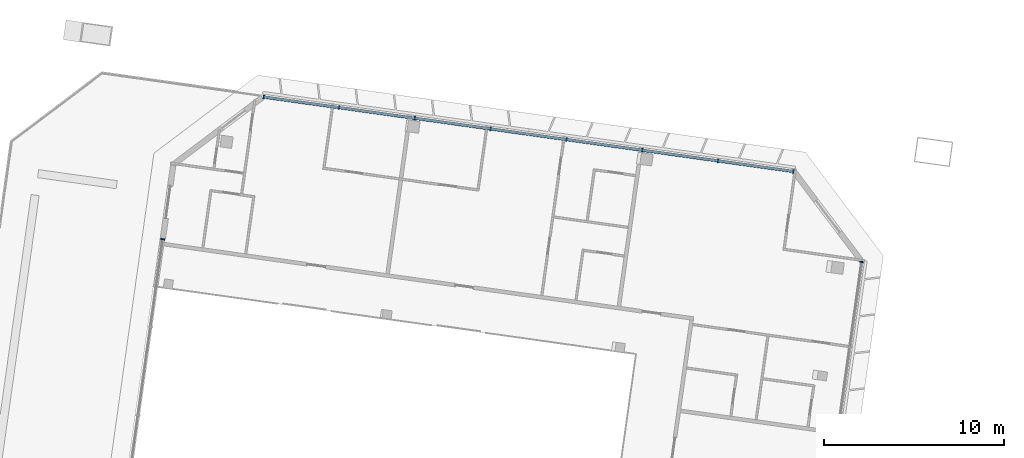
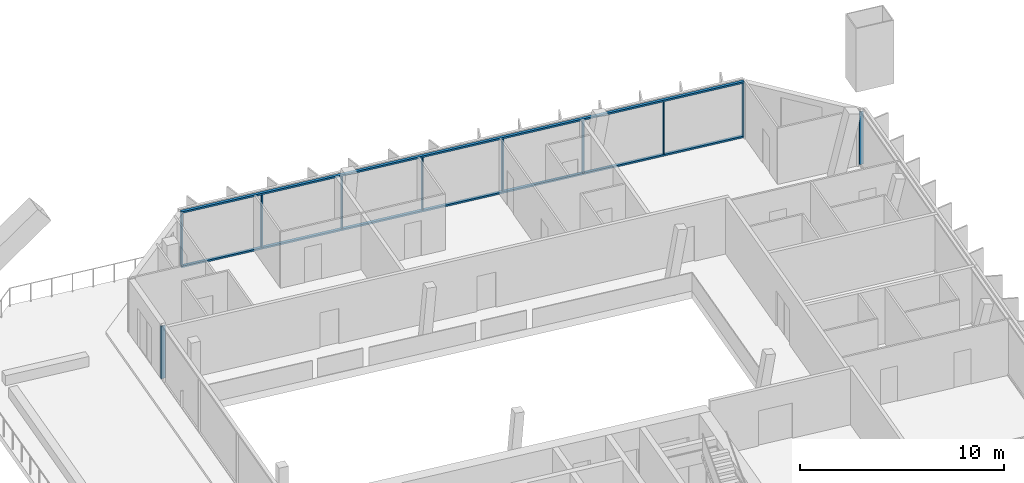
# One storey, part 4 of 17: 12 members, 3 elements without a shape of their own.
"""IFC4 building model written with IfcOpenShell, lengths in metres."""

from ifc_helpers import new_model, si_unit, direction, frame, origin, origin_2d, place, context, subcontext, project, spatial, rectangle, extrude, material, material_profile, profile_set, type_object, element, aggregate, save


model = new_model("IFC4")

# Units and contexts
model_context = context("Model", 3, precision=1e-05, world=origin(), true_north=direction((0.0, 1.0)))
body_context = subcontext(model_context, "Body", "Model", "MODEL_VIEW")
ifc_project = project(units=[si_unit("LENGTHUNIT", "METRE"), si_unit("AREAUNIT", "SQUARE_METRE"), si_unit("VOLUMEUNIT", "CUBIC_METRE"), si_unit("PLANEANGLEUNIT", "RADIAN"), si_unit("MASSUNIT", "GRAM", prefix="KILO")], contexts=[model_context])

# Site, building, storey
site_placement = place(None, origin())
site = spatial("IfcSite", under=ifc_project, at=site_placement, CompositionType="ELEMENT")
building_placement = place(site_placement, origin())
building = spatial("IfcBuilding", under=site, at=building_placement, Name="Mirante Cascada Hotel Towers", CompositionType="ELEMENT")
storey_placement = place(building_placement, frame((0.0, 0.0, 250.8)))
storey = spatial("IfcBuildingStorey", under=building, at=storey_placement, Name="L60", CompositionType="ELEMENT", Elevation=250.8)

# Curtain wall, members
ifc_material_1 = material(Name="Aluminium mullion and transom frame with clear laminated glass", Category="aluminium")
curtain_wall_type_1 = type_object("IfcCurtainWallType", Name="Ribbon curtain wall ECW1", PredefinedType="NOTDEFINED", material=ifc_material_1)
curtain_wall_1_placement = place(storey_placement, origin())
curtain_wall_1 = element("IfcCurtainWall", 1, at=curtain_wall_1_placement, inside=storey, type_object=curtain_wall_type_1, Name="Front ribbon wall T1 L60", PredefinedType="NOTDEFINED")
ifc_material_2 = material(Name="Anodised aluminium extrusion", Category="aluminium")
ifc_material_profile_1 = material_profile(ifc_material_2, rectangle(XDim=0.2, YDim=0.065, at=origin_2d()), Name="ECW1 MULLION 65x200")
ifc_profile_set_1 = profile_set([ifc_material_profile_1], Name="Anodised aluminium extrusion")
member_type_1 = type_object("IfcMemberType", Name="ECW1 mullion 65x200", PredefinedType="MULLION", material=ifc_profile_set_1)
member_1_placement = place(storey_placement, frame((-49.5639, 19.7848, 0.1), z_axis=(0.0, 0.0, 1.0), x_axis=(0.1391731, 0.9902681, 0.0)))
member_1 = element("IfcMember", 2, at=member_1_placement, type_object=member_type_1, Name="ECW1 mullion 1", PredefinedType="MULLION", context=body_context, shape_type="SweptSolid", body=[
    extrude(rectangle(XDim=0.2, YDim=0.065, at=origin_2d()), origin(), (0.0, 0.0, 1.0), 3.15),
])
member_2_placement = place(storey_placement, frame((-45.3929, 19.1986, 0.1), z_axis=(0.0, 0.0, 1.0), x_axis=(0.1391731, 0.9902681, 0.0)))
member_2 = element("IfcMember", 3, at=member_2_placement, type_object=member_type_1, Name="ECW1 mullion 2", PredefinedType="MULLION", context=body_context, shape_type="SweptSolid", body=[
    extrude(rectangle(XDim=0.2, YDim=0.065, at=origin_2d()), origin(), (0.0, 0.0, 1.0), 3.15),
])
member_3_placement = place(storey_placement, frame((-41.1897, 18.6079, 0.1), z_axis=(0.0, 0.0, 1.0), x_axis=(0.1391731, 0.9902681, 0.0)))
member_3 = element("IfcMember", 4, at=member_3_placement, type_object=member_type_1, Name="ECW1 mullion 3", PredefinedType="MULLION", context=body_context, shape_type="SweptSolid", body=[
    extrude(rectangle(XDim=0.2, YDim=0.065, at=origin_2d()), origin(), (0.0, 0.0, 1.0), 3.15),
])
member_4_placement = place(storey_placement, frame((-36.9864, 18.0171, 0.1), z_axis=(0.0, 0.0, 1.0), x_axis=(0.1391731, 0.9902681, 0.0)))
member_4 = element("IfcMember", 5, at=member_4_placement, type_object=member_type_1, Name="ECW1 mullion 4", PredefinedType="MULLION", context=body_context, shape_type="SweptSolid", body=[
    extrude(rectangle(XDim=0.2, YDim=0.065, at=origin_2d()), origin(), (0.0, 0.0, 1.0), 3.15),
])
member_5_placement = place(storey_placement, frame((-32.7832, 17.4264, 0.1), z_axis=(0.0, 0.0, 1.0), x_axis=(0.1391731, 0.9902681, 0.0)))
member_5 = element("IfcMember", 6, at=member_5_placement, type_object=member_type_1, Name="ECW1 mullion 5", PredefinedType="MULLION", context=body_context, shape_type="SweptSolid", body=[
    extrude(rectangle(XDim=0.2, YDim=0.065, at=origin_2d()), origin(), (0.0, 0.0, 1.0), 3.15),
])
member_6_placement = place(storey_placement, frame((-28.58, 16.8357, 0.1), z_axis=(0.0, 0.0, 1.0), x_axis=(0.1391731, 0.9902681, 0.0)))
member_6 = element("IfcMember", 7, at=member_6_placement, type_object=member_type_1, Name="ECW1 mullion 6", PredefinedType="MULLION", context=body_context, shape_type="SweptSolid", body=[
    extrude(rectangle(XDim=0.2, YDim=0.065, at=origin_2d()), origin(), (0.0, 0.0, 1.0), 3.15),
])
member_7_placement = place(storey_placement, frame((-24.3768, 16.245, 0.1), z_axis=(0.0, 0.0, 1.0), x_axis=(0.1391731, 0.9902681, 0.0)))
member_7 = element("IfcMember", 8, at=member_7_placement, type_object=member_type_1, Name="ECW1 mullion 7", PredefinedType="MULLION", context=body_context, shape_type="SweptSolid", body=[
    extrude(rectangle(XDim=0.2, YDim=0.065, at=origin_2d()), origin(), (0.0, 0.0, 1.0), 3.15),
])
member_8_placement = place(storey_placement, frame((-20.2057, 15.6588, 0.1), z_axis=(0.0, 0.0, 1.0), x_axis=(0.1391731, 0.9902681, 0.0)))
member_8 = element("IfcMember", 9, at=member_8_placement, type_object=member_type_1, Name="ECW1 mullion 8", PredefinedType="MULLION", context=body_context, shape_type="SweptSolid", body=[
    extrude(rectangle(XDim=0.2, YDim=0.065, at=origin_2d()), origin(), (0.0, 0.0, 1.0), 3.15),
])
ifc_material_3 = material(Name="Anodised aluminium extrusion", Category="aluminium")
ifc_material_profile_2 = material_profile(ifc_material_3, rectangle(XDim=0.16, YDim=0.1, at=origin_2d()), Name="ECW1 TRANSOM 100x160")
ifc_profile_set_2 = profile_set([ifc_material_profile_2], Name="Anodised aluminium extrusion")
member_type_2 = type_object("IfcMemberType", Name="ECW1 transom 100x160", PredefinedType="USERDEFINED", material=ifc_profile_set_2)
member_9_placement = place(storey_placement, frame((-49.5961, 19.7893, 0.05), z_axis=(0.9902679, -0.1391743, 0.0), x_axis=(0.1391743, 0.9902679, 0.0)))
member_9 = element("IfcMember", 10, at=member_9_placement, type_object=member_type_2, Name="ECW1 sill transom", ObjectType="TRANSOM", PredefinedType="USERDEFINED", context=body_context, shape_type="SweptSolid", body=[
    extrude(rectangle(XDim=0.16, YDim=0.1, at=origin_2d()), origin(), (0.0, 0.0, 1.0), 29.7117),
])
member_10_placement = place(storey_placement, frame((-49.5961, 19.7893, 3.3), z_axis=(0.9902679, -0.1391743, 0.0), x_axis=(0.1391743, 0.9902679, 0.0)))
member_10 = element("IfcMember", 11, at=member_10_placement, type_object=member_type_2, Name="ECW1 head transom", ObjectType="TRANSOM", PredefinedType="USERDEFINED", context=body_context, shape_type="SweptSolid", body=[
    extrude(rectangle(XDim=0.16, YDim=0.1, at=origin_2d()), origin(), (0.0, 0.0, 1.0), 29.7117),
])
aggregate(curtain_wall_1, [member_9, member_10, member_1, member_2, member_3, member_4, member_5, member_6, member_7, member_8])

# Curtain wall, member
ifc_material_4 = material(Name="Aluminium mullion and transom frame with clear laminated glass", Category="aluminium")
curtain_wall_type_2 = type_object("IfcCurtainWallType", Name="End ribbon curtain wall ECW2", PredefinedType="NOTDEFINED", material=ifc_material_4)
curtain_wall_2_placement = place(storey_placement, origin())
curtain_wall_2 = element("IfcCurtainWall", 12, at=curtain_wall_2_placement, inside=storey, type_object=curtain_wall_type_2, Name="Inner end wall T1 L60", PredefinedType="NOTDEFINED")
ifc_material_5 = material(Name="Anodised aluminium extrusion", Category="aluminium")
ifc_material_profile_3 = material_profile(ifc_material_5, rectangle(XDim=0.2, YDim=0.065, at=origin_2d()), Name="ECW2 MULLION 65x200")
ifc_profile_set_3 = profile_set([ifc_material_profile_3], Name="Anodised aluminium extrusion")
member_type_3 = type_object("IfcMemberType", Name="ECW2 mullion 65x200", PredefinedType="MULLION", material=ifc_profile_set_3)
member_11_placement = place(storey_placement, frame((-16.4229, 10.6388, 0.1), z_axis=(0.0, 0.0, 1.0), x_axis=(0.9902681, -0.1391731, 0.0)))
member_11 = element("IfcMember", 13, at=member_11_placement, type_object=member_type_3, Name="ECW2 mullion 1", PredefinedType="MULLION", context=body_context, shape_type="SweptSolid", body=[
    extrude(rectangle(XDim=0.2, YDim=0.065, at=origin_2d()), origin(), (0.0, 0.0, 1.0), 3.15),
])
aggregate(curtain_wall_2, [member_11])

ifc_material_6 = material(Name="Aluminium mullion and transom frame with clear laminated glass", Category="aluminium")
curtain_wall_type_3 = type_object("IfcCurtainWallType", Name="Sky garden curtain wall ECW4", PredefinedType="NOTDEFINED", material=ifc_material_6)
curtain_wall_3_placement = place(storey_placement, origin())
curtain_wall_3 = element("IfcCurtainWall", 14, at=curtain_wall_3_placement, inside=storey, type_object=curtain_wall_type_3, Name="Sky garden wall T1 L60 run 1", PredefinedType="NOTDEFINED")
ifc_material_7 = material(Name="Anodised aluminium extrusion", Category="aluminium")
ifc_material_profile_4 = material_profile(ifc_material_7, rectangle(XDim=0.24, YDim=0.075, at=origin_2d()), Name="ECW4 MULLION 75x240")
ifc_profile_set_4 = profile_set([ifc_material_profile_4], Name="Anodised aluminium extrusion")
member_type_4 = type_object("IfcMemberType", Name="ECW4 mullion 75x240", PredefinedType="MULLION", material=ifc_profile_set_4)
member_12_placement = place(storey_placement, frame((-55.1604, 11.8994, 0.11), z_axis=(0.0, 0.0, 1.0), x_axis=(-0.9902681, 0.1391731, 0.0)))
member_12 = element("IfcMember", 15, at=member_12_placement, type_object=member_type_4, Name="ECW4 mullion 6", PredefinedType="MULLION", context=body_context, shape_type="SweptSolid", body=[
    extrude(rectangle(XDim=0.24, YDim=0.075, at=origin_2d()), origin(), (0.0, 0.0, 1.0), 3.13),
])
aggregate(curtain_wall_3, [member_12])

save(model, "model.ifc")
